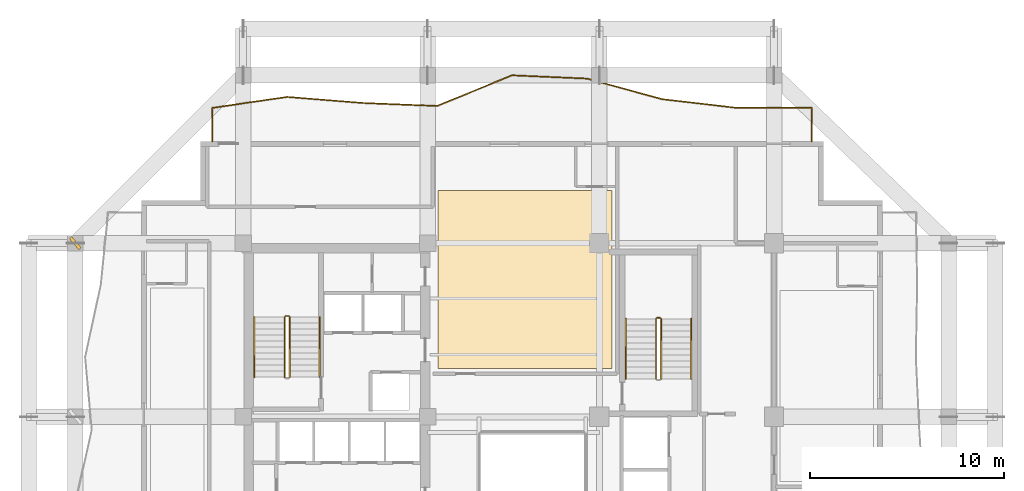
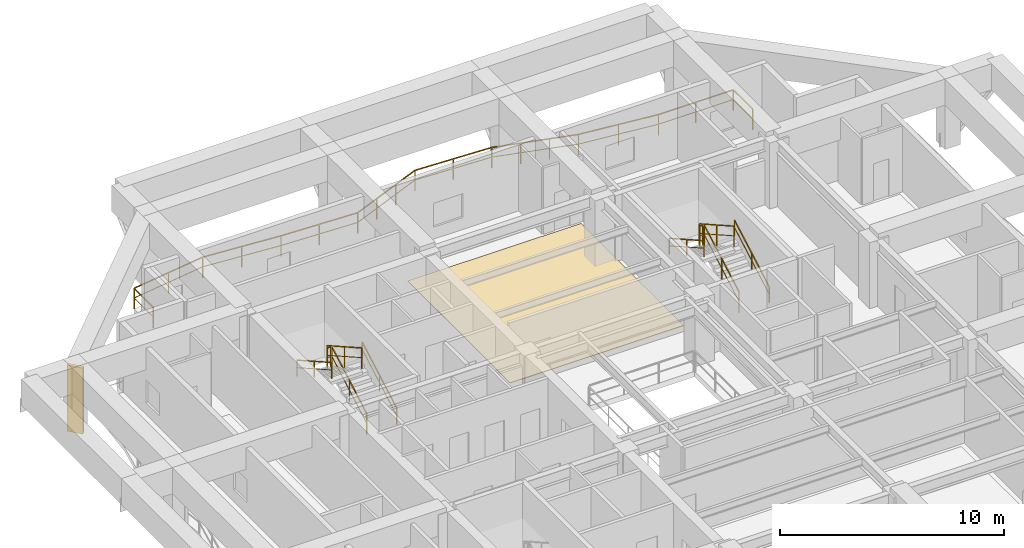
# One storey, part 10 of 11: 11 railings, 1 covering, 1 shading device.
"""IFC4 building model written with IfcOpenShell, lengths in metres."""

from ifc_helpers import new_model, si_unit, direction, frame, origin, origin_2d, place, context, subcontext, project, spatial, polyline, rectangle, outline, extrude, material, layer, layer_set, type_object, element, save


model = new_model("IFC4")

# Units and contexts
model_context = context("Model", 3, precision=1e-05, world=origin(), true_north=direction((0.0, 1.0)))
body_context = subcontext(model_context, "Body", "Model", "MODEL_VIEW")
ifc_project = project(units=[si_unit("LENGTHUNIT", "METRE"), si_unit("AREAUNIT", "SQUARE_METRE"), si_unit("VOLUMEUNIT", "CUBIC_METRE"), si_unit("PLANEANGLEUNIT", "RADIAN"), si_unit("MASSUNIT", "GRAM", prefix="KILO")], contexts=[model_context])

# Site, building, storey
site_placement = place(None, origin())
site = spatial("IfcSite", under=ifc_project, at=site_placement, CompositionType="ELEMENT")
building_placement = place(site_placement, origin())
building = spatial("IfcBuilding", under=site, at=building_placement, Name="Kundavana Baori Tower", CompositionType="ELEMENT")
storey_placement = place(building_placement, frame((0.0, 0.0, 154.050048828125)))
storey = spatial("IfcBuildingStorey", under=building, at=storey_placement, Name="L37", CompositionType="ELEMENT", Elevation=154.050048828125)

# Covering
ifc_material_1 = material(Name="Honed Kota Stone and Terrazzo Flooring", Category="masonry")
ifc_layer = layer(ifc_material_1, 0.030029296875, Name="COV-INT-FLR")
ifc_layer_set = layer_set([ifc_layer], Name="Honed Kota Stone and Terrazzo Flooring")
covering_type = type_object("IfcCoveringType", Name="COV-INT-FLR", PredefinedType="FLOORING", material=ifc_layer_set)
covering_placement = place(storey_placement, origin())
element("IfcCovering", 1, at=covering_placement, inside=storey, type_object=covering_type, Name="L37 Room Finished Stone Flooring 6", PredefinedType="FLOORING", context=body_context, shape_type="SweptSolid", body=[
    extrude(outline(polyline([(25.5, 35.5), (34.43994140625, 35.5), (34.43994140625, 44.669921875), (25.5, 44.669921875), (25.5, 35.5)])), origin(), (0.0, 0.0, 1.0), 0.030029296875),
])

# Railings
ifc_material_2 = material(Name="Architectural Patinated Bronze Metalwork")
railing_type_1 = type_object("IfcRailingType", Name="RL-BAL-1150", PredefinedType="BALUSTRADE", material=ifc_material_2)
railing_1_placement = place(storey_placement, frame((13.85009765625, 47.199951171875, 0.0)))
element("IfcRailing", 2, at=railing_1_placement, inside=storey, type_object=railing_type_1, Name="L37 Loggia Balcony Balustrade N", PredefinedType="BALUSTRADE", context=body_context, shape_type="SweptSolid", body=[
    extrude(rectangle(XDim=0.048095703125, YDim=0.048095703125, at=origin_2d()), frame((0.0, 0.0, 1.1259765625), z_axis=(0.0, 1.0, 0.0), x_axis=(-1.0, 0.0, 0.0)), (0.0, 0.0, 1.0), 1.719970703125),
    extrude(rectangle(XDim=0.03125, YDim=0.03125, at=origin_2d()), frame((0.0, 0.0, 0.597900390625), z_axis=(0.0, 1.0, 0.0), x_axis=(-1.0, 0.0, 0.0)), (0.0, 0.0, 1.0), 1.719970703125),
    extrude(rectangle(XDim=0.048095703125, YDim=0.048095703125, at=origin_2d()), frame((0.0, 1.719970703125, 1.1259765625), z_axis=(0.989351719659, 0.145544408373, 0.0), x_axis=(-0.145544408373, 0.989351719659, 0.0)), (0.0, 0.0, 1.0), 3.9033203125),
    extrude(rectangle(XDim=0.03125, YDim=0.03125, at=origin_2d()), frame((0.0, 1.719970703125, 0.597900390625), z_axis=(0.989351719659, 0.145544408373, 0.0), x_axis=(-0.145544408373, 0.989351719659, 0.0)), (0.0, 0.0, 1.0), 3.9033203125),
    extrude(rectangle(XDim=0.048095703125, YDim=0.048095703125, at=origin_2d()), frame((3.86181640625, 2.2880859375, 1.1259765625), z_axis=(0.996774285873, -0.080255984339, 0.0), x_axis=(0.080255984339, 0.996774285873, 0.0)), (0.0, 0.0, 1.0), 3.87548828125),
    extrude(rectangle(XDim=0.03125, YDim=0.03125, at=origin_2d()), frame((3.86181640625, 2.2880859375, 0.597900390625), z_axis=(0.996774285873, -0.080255984339, 0.0), x_axis=(0.080255984339, 0.996774285873, 0.0)), (0.0, 0.0, 1.0), 3.87548828125),
    extrude(rectangle(XDim=0.048095703125, YDim=0.048095703125, at=origin_2d()), frame((7.724853515625, 1.97705078125, 1.1259765625), z_axis=(0.99917533642, -0.040603535443, 0.0), x_axis=(0.040603535443, 0.99917533642, 0.0)), (0.0, 0.0, 1.0), 3.8662109375),
    extrude(rectangle(XDim=0.03125, YDim=0.03125, at=origin_2d()), frame((7.724853515625, 1.97705078125, 0.597900390625), z_axis=(0.99917533642, -0.040603535443, 0.0), x_axis=(0.040603535443, 0.99917533642, 0.0)), (0.0, 0.0, 1.0), 3.8662109375),
    extrude(rectangle(XDim=0.048095703125, YDim=0.048095703125, at=origin_2d()), frame((11.587890625, 1.820068359375, 1.1259765625), z_axis=(0.925534839958, 0.378662461863, 0.0), x_axis=(-0.378662461863, 0.925534839958, 0.0)), (0.0, 0.0, 1.0), 4.1728515625),
    extrude(rectangle(XDim=0.03125, YDim=0.03125, at=origin_2d()), frame((11.587890625, 1.820068359375, 0.597900390625), z_axis=(0.925534839958, 0.378662461863, 0.0), x_axis=(-0.378662461863, 0.925534839958, 0.0)), (0.0, 0.0, 1.0), 4.1728515625),
    extrude(rectangle(XDim=0.048095703125, YDim=0.048095703125, at=origin_2d()), frame((15.449951171875, 3.400146484375, 1.1259765625), z_axis=(0.99903121715, -0.044007126231, 0.0), x_axis=(0.044007126231, 0.99903121715, 0.0)), (0.0, 0.0, 1.0), 3.86669921875),
    extrude(rectangle(XDim=0.03125, YDim=0.03125, at=origin_2d()), frame((15.449951171875, 3.400146484375, 0.597900390625), z_axis=(0.99903121715, -0.044007126231, 0.0), x_axis=(0.044007126231, 0.99903121715, 0.0)), (0.0, 0.0, 1.0), 3.86669921875),
    extrude(rectangle(XDim=0.048095703125, YDim=0.048095703125, at=origin_2d()), frame((19.31298828125, 3.22998046875, 1.1259765625), z_axis=(0.96453126467, -0.263968633503, 0.0), x_axis=(0.263968633503, 0.96453126467, 0.0)), (0.0, 0.0, 1.0), 4.00390625),
    extrude(rectangle(XDim=0.03125, YDim=0.03125, at=origin_2d()), frame((19.31298828125, 3.22998046875, 0.597900390625), z_axis=(0.96453126467, -0.263968633503, 0.0), x_axis=(0.263968633503, 0.96453126467, 0.0)), (0.0, 0.0, 1.0), 4.00390625),
    extrude(rectangle(XDim=0.048095703125, YDim=0.048095703125, at=origin_2d()), frame((23.1748046875, 2.173095703125, 1.1259765625), z_axis=(0.993310395598, -0.115474923668, 0.0), x_axis=(0.115474923668, 0.993310395598, 0.0)), (0.0, 0.0, 1.0), 3.88818359375),
    extrude(rectangle(XDim=0.03125, YDim=0.03125, at=origin_2d()), frame((23.1748046875, 2.173095703125, 0.597900390625), z_axis=(0.993310395598, -0.115474923668, 0.0), x_axis=(0.115474923668, 0.993310395598, 0.0)), (0.0, 0.0, 1.0), 3.88818359375),
    extrude(rectangle(XDim=0.048095703125, YDim=0.048095703125, at=origin_2d()), frame((27.036865234375, 1.72412109375, 1.1259765625), z_axis=(0.999999422849, -0.001074384768, 0.0), x_axis=(0.001074384768, 0.999999422849, 0.0)), (0.0, 0.0, 1.0), 3.863037109375),
    extrude(rectangle(XDim=0.03125, YDim=0.03125, at=origin_2d()), frame((27.036865234375, 1.72412109375, 0.597900390625), z_axis=(0.999999422849, -0.001074384768, 0.0), x_axis=(0.001074384768, 0.999999422849, 0.0)), (0.0, 0.0, 1.0), 3.863037109375),
    extrude(rectangle(XDim=0.048095703125, YDim=0.048095703125, at=origin_2d()), frame((30.89990234375, 1.719970703125, 1.1259765625), z_axis=(0.0, -1.0, 0.0), x_axis=(1.0, 0.0, 0.0)), (0.0, 0.0, 1.0), 1.719970703125),
    extrude(rectangle(XDim=0.03125, YDim=0.03125, at=origin_2d()), frame((30.89990234375, 1.719970703125, 0.597900390625), z_axis=(0.0, -1.0, 0.0), x_axis=(1.0, 0.0, 0.0)), (0.0, 0.0, 1.0), 1.719970703125),
    extrude(rectangle(XDim=0.0419921875, YDim=0.0419921875, at=origin_2d()), origin(), (0.0, 0.0, 1.0), 1.101806640625),
    extrude(rectangle(XDim=0.0419921875, YDim=0.0419921875, at=origin_2d()), frame((0.0, 1.719970703125, 0.0)), (0.0, 0.0, 1.0), 1.101806640625),
    extrude(rectangle(XDim=0.0419921875, YDim=0.0419921875, at=origin_2d()), frame((1.930908203125, 2.00390625, 0.0)), (0.0, 0.0, 1.0), 1.101806640625),
    extrude(rectangle(XDim=0.0419921875, YDim=0.0419921875, at=origin_2d()), frame((3.86181640625, 2.2880859375, 0.0)), (0.0, 0.0, 1.0), 1.101806640625),
    extrude(rectangle(XDim=0.0419921875, YDim=0.0419921875, at=origin_2d()), frame((5.79345703125, 2.132568359375, 0.0)), (0.0, 0.0, 1.0), 1.101806640625),
    extrude(rectangle(XDim=0.0419921875, YDim=0.0419921875, at=origin_2d()), frame((7.724853515625, 1.97705078125, 0.0)), (0.0, 0.0, 1.0), 1.101806640625),
    extrude(rectangle(XDim=0.0419921875, YDim=0.0419921875, at=origin_2d()), frame((9.65625, 1.8984375, 0.0)), (0.0, 0.0, 1.0), 1.101806640625),
    extrude(rectangle(XDim=0.0419921875, YDim=0.0419921875, at=origin_2d()), frame((11.587890625, 1.820068359375, 0.0)), (0.0, 0.0, 1.0), 1.101806640625),
    extrude(rectangle(XDim=0.0419921875, YDim=0.0419921875, at=origin_2d()), frame((12.875244140625, 2.3466796875, 0.0)), (0.0, 0.0, 1.0), 1.101806640625),
    extrude(rectangle(XDim=0.0419921875, YDim=0.0419921875, at=origin_2d()), frame((14.16259765625, 2.87353515625, 0.0)), (0.0, 0.0, 1.0), 1.101806640625),
    extrude(rectangle(XDim=0.0419921875, YDim=0.0419921875, at=origin_2d()), frame((15.449951171875, 3.400146484375, 0.0)), (0.0, 0.0, 1.0), 1.101806640625),
    extrude(rectangle(XDim=0.0419921875, YDim=0.0419921875, at=origin_2d()), frame((17.38134765625, 3.31494140625, 0.0)), (0.0, 0.0, 1.0), 1.101806640625),
    extrude(rectangle(XDim=0.0419921875, YDim=0.0419921875, at=origin_2d()), frame((19.31298828125, 3.22998046875, 0.0)), (0.0, 0.0, 1.0), 1.101806640625),
    extrude(rectangle(XDim=0.0419921875, YDim=0.0419921875, at=origin_2d()), frame((20.600341796875, 2.877685546875, 0.0)), (0.0, 0.0, 1.0), 1.101806640625),
    extrude(rectangle(XDim=0.0419921875, YDim=0.0419921875, at=origin_2d()), frame((21.887451171875, 2.525390625, 0.0)), (0.0, 0.0, 1.0), 1.101806640625),
    extrude(rectangle(XDim=0.0419921875, YDim=0.0419921875, at=origin_2d()), frame((23.1748046875, 2.173095703125, 0.0)), (0.0, 0.0, 1.0), 1.101806640625),
    extrude(rectangle(XDim=0.0419921875, YDim=0.0419921875, at=origin_2d()), frame((25.10595703125, 1.94873046875, 0.0)), (0.0, 0.0, 1.0), 1.101806640625),
    extrude(rectangle(XDim=0.0419921875, YDim=0.0419921875, at=origin_2d()), frame((27.036865234375, 1.72412109375, 0.0)), (0.0, 0.0, 1.0), 1.101806640625),
    extrude(rectangle(XDim=0.0419921875, YDim=0.0419921875, at=origin_2d()), frame((28.96826171875, 1.72216796875, 0.0)), (0.0, 0.0, 1.0), 1.101806640625),
    extrude(rectangle(XDim=0.0419921875, YDim=0.0419921875, at=origin_2d()), frame((30.89990234375, 1.719970703125, 0.0)), (0.0, 0.0, 1.0), 1.101806640625),
    extrude(rectangle(XDim=0.0419921875, YDim=0.0419921875, at=origin_2d()), frame((30.89990234375, 0.0, 0.0)), (0.0, 0.0, 1.0), 1.101806640625),
])
ifc_material_3 = material(Name="Architectural Patinated Bronze Metalwork")
railing_type_2 = type_object("IfcRailingType", Name="RL-GRD-1150", PredefinedType="GUARDRAIL", material=ifc_material_3)
railing_2_placement = place(storey_placement, frame((17.840087890625, 35.050048828125, 0.175048828125)))
element("IfcRailing", 3, at=railing_2_placement, inside=storey, type_object=railing_type_2, Name="L37 ST2 stair guard 1", PredefinedType="GUARDRAIL", context=body_context, shape_type="SweptSolid", body=[
    extrude(rectangle(XDim=0.048095703125, YDim=0.048095703125, at=origin_2d()), frame((0.0, 0.0, 1.1259765625), z_axis=(0.0, 0.870814364268, 0.491611984175), x_axis=(-1.0, 0.0, 0.0)), (0.0, 0.0, 1.0), 3.559814453125),
    extrude(rectangle(XDim=0.03125, YDim=0.03125, at=origin_2d()), frame((0.0, 0.0, 0.597900390625), z_axis=(0.0, 0.870814364268, 0.491611984175), x_axis=(-1.0, 0.0, 0.0)), (0.0, 0.0, 1.0), 3.559814453125),
    extrude(rectangle(XDim=0.0419921875, YDim=0.0419921875, at=origin_2d()), origin(), (0.0, 0.0, 1.0), 1.101806640625),
    extrude(rectangle(XDim=0.0419921875, YDim=0.0419921875, at=origin_2d()), frame((0.0, 1.5498046875, 0.875)), (0.0, 0.0, 1.0), 1.101806640625),
    extrude(rectangle(XDim=0.0419921875, YDim=0.0419921875, at=origin_2d()), frame((0.0, 3.099853515625, 1.75)), (0.0, 0.0, 1.0), 1.101806640625),
])
railing_3_placement = place(storey_placement, frame((17.7900390625, 38.199951171875, 1.925048828125)))
element("IfcRailing", 4, at=railing_3_placement, inside=storey, type_object=railing_type_2, Name="L37 ST2 stair guard 2", PredefinedType="GUARDRAIL", context=body_context, shape_type="SweptSolid", body=[
    extrude(rectangle(XDim=0.048095703125, YDim=0.048095703125, at=origin_2d()), frame((0.0, 0.0, 1.1259765625), z_axis=(-1.0, 0.0, 0.0), x_axis=(0.0, -1.0, 0.0)), (0.0, 0.0, 1.0), 0.16015625),
    extrude(rectangle(XDim=0.03125, YDim=0.03125, at=origin_2d()), frame((0.0, 0.0, 0.597900390625), z_axis=(-1.0, 0.0, 0.0), x_axis=(0.0, -1.0, 0.0)), (0.0, 0.0, 1.0), 0.16015625),
    extrude(rectangle(XDim=0.0419921875, YDim=0.0419921875, at=origin_2d()), origin(), (0.0, 0.0, 1.0), 1.101806640625),
    extrude(rectangle(XDim=0.0419921875, YDim=0.0419921875, at=origin_2d()), frame((-0.16015625, 0.0, 0.0)), (0.0, 0.0, 1.0), 1.101806640625),
])
railing_4_placement = place(storey_placement, frame((17.580078125, 38.14990234375, 2.099853515625)))
element("IfcRailing", 5, at=railing_4_placement, inside=storey, type_object=railing_type_2, Name="L37 ST2 stair guard 3", PredefinedType="GUARDRAIL", context=body_context, shape_type="SweptSolid", body=[
    extrude(rectangle(XDim=0.048095703125, YDim=0.048095703125, at=origin_2d()), frame((0.0, 0.0, 1.1259765625), z_axis=(0.0, -0.870814364268, 0.491611984175), x_axis=(1.0, 0.0, 0.0)), (0.0, 0.0, 1.0), 3.559814453125),
    extrude(rectangle(XDim=0.03125, YDim=0.03125, at=origin_2d()), frame((0.0, 0.0, 0.597900390625), z_axis=(0.0, -0.870814364268, 0.491611984175), x_axis=(1.0, 0.0, 0.0)), (0.0, 0.0, 1.0), 3.559814453125),
    extrude(rectangle(XDim=0.0419921875, YDim=0.0419921875, at=origin_2d()), origin(), (0.0, 0.0, 1.0), 1.101806640625),
    extrude(rectangle(XDim=0.0419921875, YDim=0.0419921875, at=origin_2d()), frame((0.0, -1.5498046875, 0.875)), (0.0, 0.0, 1.0), 1.101806640625),
    extrude(rectangle(XDim=0.0419921875, YDim=0.0419921875, at=origin_2d()), frame((0.0, -3.099853515625, 1.75)), (0.0, 0.0, 1.0), 1.101806640625),
])
railing_5_placement = place(storey_placement, frame((36.97998046875, 34.949951171875, 0.175048828125)))
element("IfcRailing", 6, at=railing_5_placement, inside=storey, type_object=railing_type_2, Name="L37 ST3 stair guard 1", PredefinedType="GUARDRAIL", context=body_context, shape_type="SweptSolid", body=[
    extrude(rectangle(XDim=0.048095703125, YDim=0.048095703125, at=origin_2d()), frame((0.0, 0.0, 1.1259765625), z_axis=(0.0, 0.870830938388, 0.491582624537), x_axis=(-1.0, 0.0, 0.0)), (0.0, 0.0, 1.0), 3.559814453125),
    extrude(rectangle(XDim=0.03125, YDim=0.03125, at=origin_2d()), frame((0.0, 0.0, 0.597900390625), z_axis=(0.0, 0.870830938388, 0.491582624537), x_axis=(-1.0, 0.0, 0.0)), (0.0, 0.0, 1.0), 3.559814453125),
    extrude(rectangle(XDim=0.0419921875, YDim=0.0419921875, at=origin_2d()), origin(), (0.0, 0.0, 1.0), 1.101806640625),
    extrude(rectangle(XDim=0.0419921875, YDim=0.0419921875, at=origin_2d()), frame((0.0, 1.550048828125, 0.875)), (0.0, 0.0, 1.0), 1.101806640625),
    extrude(rectangle(XDim=0.0419921875, YDim=0.0419921875, at=origin_2d()), frame((0.0, 3.10009765625, 1.75)), (0.0, 0.0, 1.0), 1.101806640625),
])
railing_6_placement = place(storey_placement, frame((36.929931640625, 38.10009765625, 1.925048828125)))
element("IfcRailing", 7, at=railing_6_placement, inside=storey, type_object=railing_type_2, Name="L37 ST3 stair guard 2", PredefinedType="GUARDRAIL", context=body_context, shape_type="SweptSolid", body=[
    extrude(rectangle(XDim=0.048095703125, YDim=0.048095703125, at=origin_2d()), frame((0.0, 0.0, 1.1259765625), z_axis=(-1.0, 0.0, 0.0), x_axis=(0.0, -1.0, 0.0)), (0.0, 0.0, 1.0), 0.159912109375),
    extrude(rectangle(XDim=0.03125, YDim=0.03125, at=origin_2d()), frame((0.0, 0.0, 0.597900390625), z_axis=(-1.0, 0.0, 0.0), x_axis=(0.0, -1.0, 0.0)), (0.0, 0.0, 1.0), 0.159912109375),
    extrude(rectangle(XDim=0.0419921875, YDim=0.0419921875, at=origin_2d()), origin(), (0.0, 0.0, 1.0), 1.101806640625),
    extrude(rectangle(XDim=0.0419921875, YDim=0.0419921875, at=origin_2d()), frame((-0.159912109375, 0.0, 0.0)), (0.0, 0.0, 1.0), 1.101806640625),
])
railing_7_placement = place(storey_placement, frame((36.719970703125, 38.050048828125, 2.099853515625)))
element("IfcRailing", 8, at=railing_7_placement, inside=storey, type_object=railing_type_2, Name="L37 ST3 stair guard 3", PredefinedType="GUARDRAIL", context=body_context, shape_type="SweptSolid", body=[
    extrude(rectangle(XDim=0.048095703125, YDim=0.048095703125, at=origin_2d()), frame((0.0, 0.0, 1.1259765625), z_axis=(0.0, -0.870830938388, 0.491582624537), x_axis=(1.0, 0.0, 0.0)), (0.0, 0.0, 1.0), 3.559814453125),
    extrude(rectangle(XDim=0.03125, YDim=0.03125, at=origin_2d()), frame((0.0, 0.0, 0.597900390625), z_axis=(0.0, -0.870830938388, 0.491582624537), x_axis=(1.0, 0.0, 0.0)), (0.0, 0.0, 1.0), 3.559814453125),
    extrude(rectangle(XDim=0.0419921875, YDim=0.0419921875, at=origin_2d()), origin(), (0.0, 0.0, 1.0), 1.101806640625),
    extrude(rectangle(XDim=0.0419921875, YDim=0.0419921875, at=origin_2d()), frame((0.0, -1.550048828125, 0.875)), (0.0, 0.0, 1.0), 1.101806640625),
    extrude(rectangle(XDim=0.0419921875, YDim=0.0419921875, at=origin_2d()), frame((0.0, -3.10009765625, 1.75)), (0.0, 0.0, 1.0), 1.101806640625),
])
ifc_material_4 = material(Name="Architectural Patinated Bronze Metalwork")
railing_type_3 = type_object("IfcRailingType", Name="RL-HND-920", PredefinedType="HANDRAIL", material=ifc_material_4)
railing_8_placement = place(storey_placement, frame((19.389892578125, 35.050048828125, 0.175048828125)))
element("IfcRailing", 9, at=railing_8_placement, inside=storey, type_object=railing_type_3, Name="L37 ST2 stair handrail 1", PredefinedType="HANDRAIL", context=body_context, shape_type="SweptSolid", body=[
    extrude(rectangle(XDim=0.048095703125, YDim=0.048095703125, at=origin_2d()), frame((0.0, 0.0, 0.8759765625), z_axis=(0.0, 0.870814364268, 0.491611984175), x_axis=(-1.0, 0.0, 0.0)), (0.0, 0.0, 1.0), 3.559814453125),
    extrude(rectangle(XDim=0.03125, YDim=0.03125, at=origin_2d()), frame((0.0, 0.0, 0.468017578125), z_axis=(0.0, 0.870814364268, 0.491611984175), x_axis=(-1.0, 0.0, 0.0)), (0.0, 0.0, 1.0), 3.559814453125),
    extrude(rectangle(XDim=0.0419921875, YDim=0.0419921875, at=origin_2d()), origin(), (0.0, 0.0, 1.0), 0.851806640625),
    extrude(rectangle(XDim=0.0419921875, YDim=0.0419921875, at=origin_2d()), frame((0.0, 1.5498046875, 0.875)), (0.0, 0.0, 1.0), 0.851806640625),
    extrude(rectangle(XDim=0.0419921875, YDim=0.0419921875, at=origin_2d()), frame((0.0, 3.099853515625, 1.75)), (0.0, 0.0, 1.0), 0.851806640625),
])
railing_9_placement = place(storey_placement, frame((16.030029296875, 38.14990234375, 2.099853515625)))
element("IfcRailing", 10, at=railing_9_placement, inside=storey, type_object=railing_type_3, Name="L37 ST2 stair handrail 2", PredefinedType="HANDRAIL", context=body_context, shape_type="SweptSolid", body=[
    extrude(rectangle(XDim=0.048095703125, YDim=0.048095703125, at=origin_2d()), frame((0.0, 0.0, 0.8759765625), z_axis=(0.0, -0.870814364268, 0.491611984175), x_axis=(1.0, 0.0, 0.0)), (0.0, 0.0, 1.0), 3.559814453125),
    extrude(rectangle(XDim=0.03125, YDim=0.03125, at=origin_2d()), frame((0.0, 0.0, 0.468017578125), z_axis=(0.0, -0.870814364268, 0.491611984175), x_axis=(1.0, 0.0, 0.0)), (0.0, 0.0, 1.0), 3.559814453125),
    extrude(rectangle(XDim=0.0419921875, YDim=0.0419921875, at=origin_2d()), origin(), (0.0, 0.0, 1.0), 0.851806640625),
    extrude(rectangle(XDim=0.0419921875, YDim=0.0419921875, at=origin_2d()), frame((0.0, -1.5498046875, 0.875)), (0.0, 0.0, 1.0), 0.851806640625),
    extrude(rectangle(XDim=0.0419921875, YDim=0.0419921875, at=origin_2d()), frame((0.0, -3.099853515625, 1.75)), (0.0, 0.0, 1.0), 0.851806640625),
])
railing_10_placement = place(storey_placement, frame((38.530029296875, 34.949951171875, 0.175048828125)))
element("IfcRailing", 11, at=railing_10_placement, inside=storey, type_object=railing_type_3, Name="L37 ST3 stair handrail 1", PredefinedType="HANDRAIL", context=body_context, shape_type="SweptSolid", body=[
    extrude(rectangle(XDim=0.048095703125, YDim=0.048095703125, at=origin_2d()), frame((0.0, 0.0, 0.8759765625), z_axis=(0.0, 0.870830938388, 0.491582624537), x_axis=(-1.0, 0.0, 0.0)), (0.0, 0.0, 1.0), 3.559814453125),
    extrude(rectangle(XDim=0.03125, YDim=0.03125, at=origin_2d()), frame((0.0, 0.0, 0.468017578125), z_axis=(0.0, 0.870830938388, 0.491582624537), x_axis=(-1.0, 0.0, 0.0)), (0.0, 0.0, 1.0), 3.559814453125),
    extrude(rectangle(XDim=0.0419921875, YDim=0.0419921875, at=origin_2d()), origin(), (0.0, 0.0, 1.0), 0.851806640625),
    extrude(rectangle(XDim=0.0419921875, YDim=0.0419921875, at=origin_2d()), frame((0.0, 1.550048828125, 0.875)), (0.0, 0.0, 1.0), 0.851806640625),
    extrude(rectangle(XDim=0.0419921875, YDim=0.0419921875, at=origin_2d()), frame((0.0, 3.10009765625, 1.75)), (0.0, 0.0, 1.0), 0.851806640625),
])
railing_11_placement = place(storey_placement, frame((35.169921875, 38.050048828125, 2.099853515625)))
element("IfcRailing", 12, at=railing_11_placement, inside=storey, type_object=railing_type_3, Name="L37 ST3 stair handrail 2", PredefinedType="HANDRAIL", context=body_context, shape_type="SweptSolid", body=[
    extrude(rectangle(XDim=0.048095703125, YDim=0.048095703125, at=origin_2d()), frame((0.0, 0.0, 0.8759765625), z_axis=(0.0, -0.870830938388, 0.491582624537), x_axis=(1.0, 0.0, 0.0)), (0.0, 0.0, 1.0), 3.559814453125),
    extrude(rectangle(XDim=0.03125, YDim=0.03125, at=origin_2d()), frame((0.0, 0.0, 0.468017578125), z_axis=(0.0, -0.870830938388, 0.491582624537), x_axis=(1.0, 0.0, 0.0)), (0.0, 0.0, 1.0), 3.559814453125),
    extrude(rectangle(XDim=0.0419921875, YDim=0.0419921875, at=origin_2d()), origin(), (0.0, 0.0, 1.0), 0.851806640625),
    extrude(rectangle(XDim=0.0419921875, YDim=0.0419921875, at=origin_2d()), frame((0.0, -1.550048828125, 0.875)), (0.0, 0.0, 1.0), 0.851806640625),
    extrude(rectangle(XDim=0.0419921875, YDim=0.0419921875, at=origin_2d()), frame((0.0, -3.10009765625, 1.75)), (0.0, 0.0, 1.0), 0.851806640625),
])

# Shading device
ifc_material_5 = material(Name="Red-Buff Dholpur Sandstone Cladding on Concrete C40/50", Category="masonry")
shading_device_type = type_object("IfcShadingDeviceType", Name="SHD-FIN-750", PredefinedType="JALOUSIE", material=ifc_material_5)
shading_device_placement = place(storey_placement, frame((6.800048828125, 41.949951171875, 0.0), z_axis=(0.0, 0.0, 1.0), x_axis=(0.758930458688, 0.651171681568, 0.0)))
element("IfcShadingDevice", 13, at=shading_device_placement, inside=storey, type_object=shading_device_type, Name="L37 Sweeping Dholpur Sandstone Facade Fin 8", PredefinedType="JALOUSIE", context=body_context, shape_type="SweptSolid", body=[
    extrude(rectangle(XDim=0.159912109375, YDim=0.75, at=origin_2d()), origin(), (0.0, 0.0, 1.0), 3.60009765625),
])

save(model, "model.ifc")
